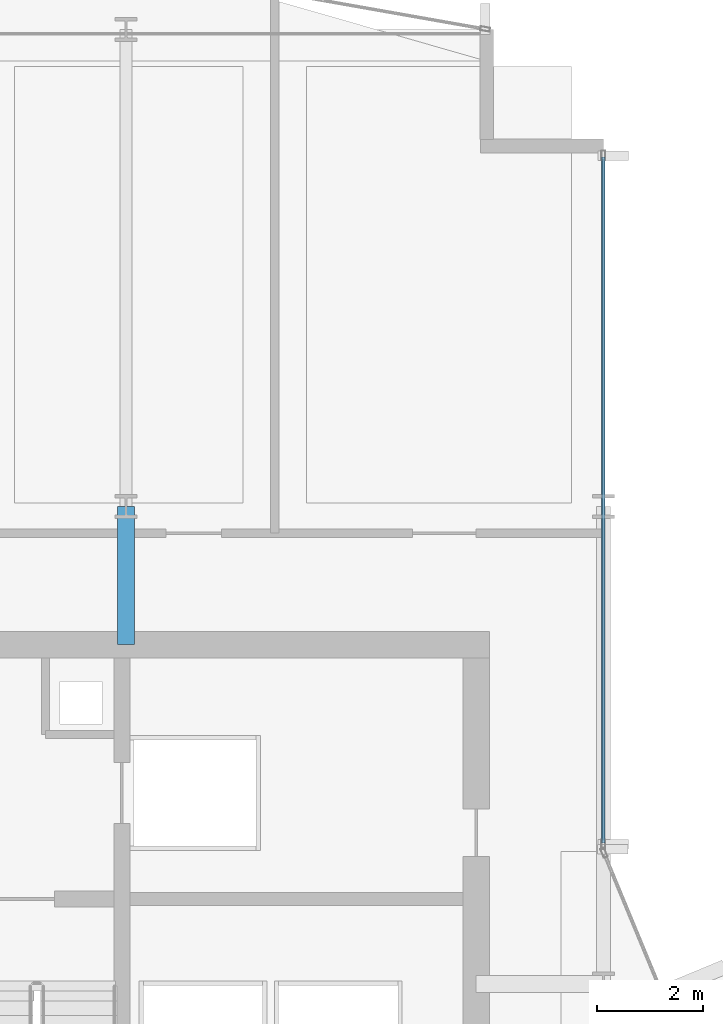
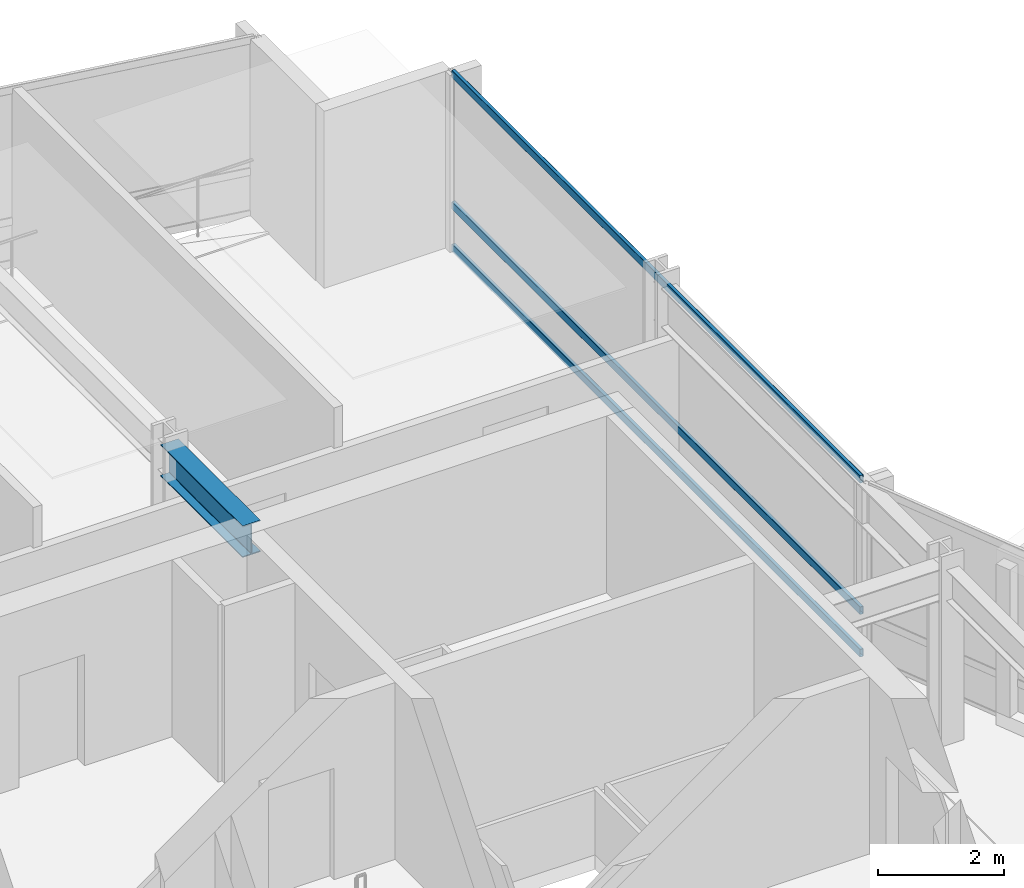
# One storey, part 18 of 28: 3 members, 1 beam, 1 element without a shape of its own.
"""IFC4 building model written with IfcOpenShell, lengths in metres."""

from ifc_helpers import new_model, si_unit, direction, frame, origin, origin_2d, place, context, subcontext, project, spatial, hollow_rectangle, i_section, extrude, material, layer, layer_set, material_profile, profile_set, type_object, element, aggregate, save


model = new_model("IFC4")

# Units and contexts
model_context = context("Model", 3, precision=1e-05, world=origin(), true_north=direction((0.0, 1.0)))
body_context = subcontext(model_context, "Body", "Model", "MODEL_VIEW")
ifc_project = project(units=[si_unit("LENGTHUNIT", "METRE"), si_unit("AREAUNIT", "SQUARE_METRE"), si_unit("VOLUMEUNIT", "CUBIC_METRE"), si_unit("PLANEANGLEUNIT", "RADIAN"), si_unit("MASSUNIT", "GRAM", prefix="KILO")], contexts=[model_context])

# Site, building, storey
site_placement = place(None, origin())
site = spatial("IfcSite", under=ifc_project, at=site_placement, CompositionType="ELEMENT")
building_placement = place(site_placement, origin())
building = spatial("IfcBuilding", under=site, at=building_placement, Name="Solvaryn Broadcast Tower", CompositionType="ELEMENT")
storey_placement = place(building_placement, frame((0.0, 0.0, 132.199951171875)))
storey = spatial("IfcBuildingStorey", under=building, at=storey_placement, Name="L32", CompositionType="ELEMENT", Elevation=132.199951171875)

# Beam
ifc_material_1 = material(Name="Steel ASTM A992 Grade 50", Category="steel")
ifc_material_profile_1 = material_profile(ifc_material_1, i_section(OverallWidth=0.323974609375, OverallDepth=0.611083984375, WebThickness=0.0126953125, FlangeThickness=0.01904296875, FilletRadius=0.014892578125, at=origin_2d()))
ifc_profile_set_1 = profile_set([ifc_material_profile_1], Name="Steel ASTM A992 Grade 50")
beam_type = type_object("IfcBeamType", Name="BM-B1-W24X104", PredefinedType="BEAM", material=ifc_profile_set_1)
beam_placement = place(storey_placement, frame((18.0, 42.39990234375, 3.114501953125), z_axis=(0.0, 1.0, 0.0), x_axis=(-1.0, 0.0, 0.0)))
element("IfcBeam", 1, at=beam_placement, inside=storey, type_object=beam_type, Name="L32 Core Tie Beam CTW3", PredefinedType="BEAM", context=body_context, shape_type="SweptSolid", body=[
    extrude(i_section(OverallWidth=0.323974609375, OverallDepth=0.611083984375, WebThickness=0.0126953125, FlangeThickness=0.01904296875, FilletRadius=0.014892578125, at=origin_2d()), origin(), (0.0, 0.0, 1.0), 2.60009765625),
])

# Curtain wall, members
ifc_material_2 = material(Name="Aluminium and Terracotta Unitised Curtain Wall", Category="masonry")
ifc_layer = layer(ifc_material_2, 0.199951171875)
ifc_layer_set = layer_set([ifc_layer], Name="CW-SYS2-LOWMID")
curtain_wall_type = type_object("IfcCurtainWallType", Name="CW-SYS2-LOWMID", PredefinedType="NOTDEFINED", material=ifc_layer_set)
curtain_wall_placement = place(storey_placement, origin())
curtain_wall = element("IfcCurtainWall", 2, at=curtain_wall_placement, inside=storey, type_object=curtain_wall_type, Name="L32 Curtain Wall IV", PredefinedType="NOTDEFINED")
ifc_material_3 = material(Name="Anodised Aluminium 6063-T6", Category="aluminium")
ifc_material_profile_2 = material_profile(ifc_material_3, hollow_rectangle(XDim=0.06494140625, YDim=0.14990234375, WallThickness=0.00390625, InnerFilletRadius=0.00390625, OuterFilletRadius=0.008056640625, at=origin_2d()))
ifc_profile_set_2 = profile_set([ifc_material_profile_2], Name="Anodised Aluminium 6063-T6")
member_type = type_object("IfcMemberType", Name="CW-TRN-150", PredefinedType="USERDEFINED", material=ifc_profile_set_2)
member_1_placement = place(storey_placement, frame((27.0, 51.590087890625, 0.030029296875), z_axis=(0.0, -1.0, 0.0), x_axis=(1.0, 0.0, 0.0)))
member_1 = element("IfcMember", 3, at=member_1_placement, type_object=member_type, Name="CWS2 transom 1.1", ObjectType="TRANSOM", PredefinedType="USERDEFINED", context=body_context, shape_type="SweptSolid", body=[
    extrude(hollow_rectangle(XDim=0.06494140625, YDim=0.14990234375, WallThickness=0.00390625, InnerFilletRadius=0.00390625, OuterFilletRadius=0.008056640625, at=origin_2d()), origin(), (0.0, 0.0, 1.0), 12.93017578125),
])
member_2_placement = place(storey_placement, frame((27.0, 51.590087890625, 0.85009765625), z_axis=(0.0, -1.0, 0.0), x_axis=(1.0, 0.0, 0.0)))
member_2 = element("IfcMember", 4, at=member_2_placement, type_object=member_type, Name="CWS2 transom 1.2", ObjectType="TRANSOM", PredefinedType="USERDEFINED", context=body_context, shape_type="SweptSolid", body=[
    extrude(hollow_rectangle(XDim=0.06494140625, YDim=0.14990234375, WallThickness=0.00390625, InnerFilletRadius=0.00390625, OuterFilletRadius=0.008056640625, at=origin_2d()), origin(), (0.0, 0.0, 1.0), 12.93017578125),
])
member_3_placement = place(storey_placement, frame((27.0, 51.590087890625, 3.39013671875), z_axis=(0.0, -1.0, 0.0), x_axis=(1.0, 0.0, 0.0)))
member_3 = element("IfcMember", 5, at=member_3_placement, type_object=member_type, Name="CWS2 transom 1.3", ObjectType="TRANSOM", PredefinedType="USERDEFINED", context=body_context, shape_type="SweptSolid", body=[
    extrude(hollow_rectangle(XDim=0.06494140625, YDim=0.14990234375, WallThickness=0.00390625, InnerFilletRadius=0.00390625, OuterFilletRadius=0.008056640625, at=origin_2d()), origin(), (0.0, 0.0, 1.0), 12.93017578125),
])
aggregate(curtain_wall, [member_1, member_2, member_3])

save(model, "model.ifc")
